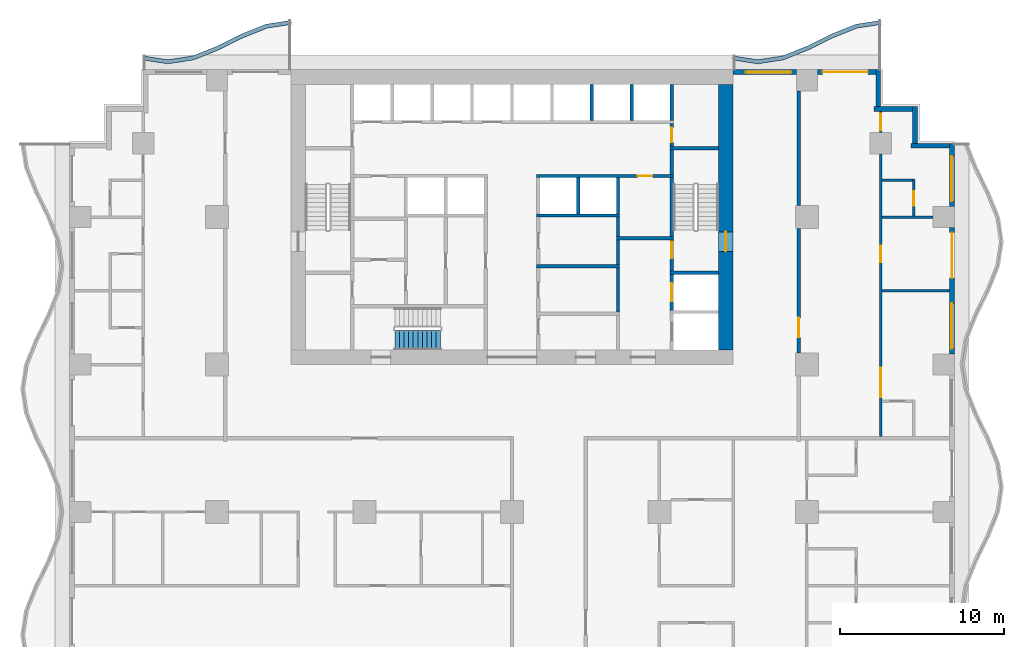
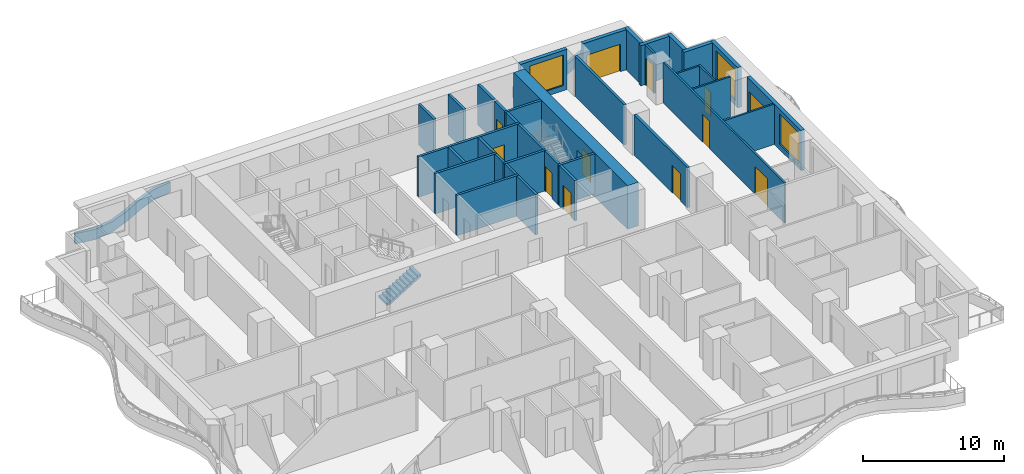
# One storey, part 6 of 14: 38 walls, 12 doors, 3 windows, 1 stair flight, 15 openings, 1 element without a shape of its own.
"""IFC4 building model written with IfcOpenShell, lengths in metres."""

from ifc_helpers import new_model, si_unit, direction, frame, frame_2d, origin, place, context, subcontext, project, spatial, polyline, rectangle, outline, extrude, material, layer, layer_set, type_object, element, fill, aggregate, save


model = new_model("IFC4")

# Units and contexts
model_context = context("Model", 3, precision=1e-05, world=origin(), true_north=direction((0.0, 1.0)))
body_context = subcontext(model_context, "Body", "Model", "MODEL_VIEW")
ifc_project = project(units=[si_unit("LENGTHUNIT", "METRE"), si_unit("AREAUNIT", "SQUARE_METRE"), si_unit("VOLUMEUNIT", "CUBIC_METRE"), si_unit("PLANEANGLEUNIT", "RADIAN"), si_unit("MASSUNIT", "GRAM", prefix="KILO")], contexts=[model_context])

# Site, building, storey
site_placement = place(None, origin())
site = spatial("IfcSite", under=ifc_project, at=site_placement, CompositionType="ELEMENT")
building_placement = place(site_placement, origin())
building = spatial("IfcBuilding", under=site, at=building_placement, Name="Orbiselva Terraces", CompositionType="ELEMENT")
storey_placement = place(building_placement, frame((0.0, 0.0, 84.6)))
storey = spatial("IfcBuildingStorey", under=building, at=storey_placement, Name="L21", CompositionType="ELEMENT", Elevation=84.6)

# Wall, opening, door
ifc_material_1 = material(Name="Concrete C80/95", Category="concrete")
ifc_layer_1 = layer(ifc_material_1, 0.9)
ifc_layer_set_1 = layer_set([ifc_layer_1], Name="Concrete C80/95")
wall_type_1 = type_object("IfcWallType", Name="CORE WALL 900", PredefinedType="SHEAR", material=ifc_layer_set_1)
wall_1_placement = place(storey_placement, frame((13.05, 5.4, -0.3), z_axis=(0.0, 0.0, 1.0), x_axis=(0.0, 1.0, 0.0)))
wall_1 = element("IfcWall", 1, at=wall_1_placement, inside=storey, type_object=wall_type_1, Name="Core wall L21 east", PredefinedType="SHEAR", context=body_context, shape_type="SweptSolid", body=[
    extrude(rectangle(XDim=16.2, YDim=0.9, at=frame_2d((8.1, 0.0))), origin(), (0.0, 0.0, 1.0), 3.8),
])
opening_1_placement = place(wall_1_placement, frame((6.0, 0.0, 0.3)))
opening_1 = element("IfcOpeningElement", 2, at=opening_1_placement, cuts=wall_1, Name="Opening DS1200", PredefinedType="OPENING", context=body_context, shape_type="SweptSolid", body=[
    extrude(rectangle(XDim=1.2, YDim=2.2, at=frame_2d((0.6, 1.1))), frame((0.0, 0.46, 0.0), z_axis=(0.0, -1.0, 0.0), x_axis=(1.0, 0.0, 0.0)), (0.0, 0.0, 1.0), 0.92),
])
ifc_material_2 = material(Name="Steel fire door", Category="steel")
door_type_1 = type_object("IfcDoorType", Name="STAIR DOOR 1200", OperationType="NOTDEFINED", PredefinedType="DOOR", material=ifc_material_2)
door_1_placement = place(opening_1_placement, frame((1.2, 0.0, 0.0), z_axis=(0.0, 0.0, 1.0), x_axis=(-1.0, 0.0, 0.0)))
door_1 = element("IfcDoor", 3, at=door_1_placement, inside=storey, type_object=door_type_1, Name="L21 EXIT STAIR S2 door", OperationType="SINGLE_SWING_LEFT", OverallHeight=2.2, OverallWidth=1.2, PredefinedType="DOOR", context=body_context, shape_type="SweptSolid", body=[
    extrude(rectangle(XDim=1.2, YDim=2.2, at=frame_2d((0.6, 1.1))), frame((0.0, 0.025, 0.0), z_axis=(0.0, -1.0, 0.0), x_axis=(1.0, 0.0, 0.0)), (0.0, 0.0, 1.0), 0.05),
])
fill(opening_1, door_1)

# Wall
ifc_material_3 = material(Name="Masonry blockwork", Category="masonry")
ifc_layer_2 = layer(ifc_material_3, 0.2)
ifc_layer_set_2 = layer_set([ifc_layer_2], Name="Masonry blockwork")
wall_type_2 = type_object("IfcWallType", Name="CORE-WALL-PARTITION-200", PredefinedType="PARTITIONING", material=ifc_layer_set_2)
wall_2_placement = place(storey_placement, frame((6.475, 12.3, 0.0), z_axis=(0.0, 0.0, 1.0), x_axis=(0.0, 1.0, 0.0)))
element("IfcWall", 4, at=wall_2_placement, inside=storey, type_object=wall_type_2, Name="L21 core wall 44", PredefinedType="PARTITIONING", context=body_context, shape_type="SweptSolid", body=[
    extrude(rectangle(XDim=1.2, YDim=0.2, at=frame_2d((0.6, 0.0))), origin(), (0.0, 0.0, 1.0), 3.5),
])

# Wall, opening, door
wall_3_placement = place(storey_placement, frame((9.75, 19.2, 0.0), z_axis=(0.0, 0.0, 1.0), x_axis=(0.0, -1.0, 0.0)))
wall_3 = element("IfcWall", 5, at=wall_3_placement, inside=storey, type_object=wall_type_2, Name="L21 core wall 55", PredefinedType="PARTITIONING", context=body_context, shape_type="SweptSolid", body=[
    extrude(rectangle(XDim=1.4, YDim=0.2, at=frame_2d((0.7, 0.0))), origin(), (0.0, 0.0, 1.0), 3.5),
])
opening_2_placement = place(wall_3_placement, frame((0.25, 0.0, 0.0)))
opening_2 = element("IfcOpeningElement", 6, at=opening_2_placement, cuts=wall_3, Name="Opening DR900", PredefinedType="OPENING", context=body_context, shape_type="SweptSolid", body=[
    extrude(rectangle(XDim=0.9, YDim=2.1, at=frame_2d((0.45, 1.05))), frame((0.0, 0.11, 0.0), z_axis=(0.0, -1.0, 0.0), x_axis=(1.0, 0.0, 0.0)), (0.0, 0.0, 1.0), 0.22),
])
door_type_2 = type_object("IfcDoorType", Name="ROOM DOOR 900", OperationType="NOTDEFINED", PredefinedType="DOOR", material=ifc_material_2)
door_2_placement = place(opening_2_placement, origin())
door_2 = element("IfcDoor", 7, at=door_2_placement, inside=storey, type_object=door_type_2, Name="L21 COMMS RISER ROOM door", OperationType="SINGLE_SWING_RIGHT", OverallHeight=2.1, OverallWidth=0.9, PredefinedType="DOOR", context=body_context, shape_type="SweptSolid", body=[
    extrude(rectangle(XDim=0.9, YDim=2.1, at=frame_2d((0.45, 1.05))), frame((0.0, 0.025, 0.0), z_axis=(0.0, -1.0, 0.0), x_axis=(1.0, 0.0, 0.0)), (0.0, 0.0, 1.0), 0.05),
])
fill(opening_2, door_2)

# Walls
ifc_material_4 = material(Name="Concrete C40/50", Category="concrete")
ifc_layer_3 = layer(ifc_material_4, 0.2)
ifc_layer_set_3 = layer_set([ifc_layer_3], Name="Concrete C40/50")
wall_type_3 = type_object("IfcWallType", Name="CORE-WALL-SHAFT-200", PredefinedType="PARTITIONING", material=ifc_layer_set_3)
for number, where, z_axis, x_axis, name in (
    (8, (4.0375, 13.7, 0.0), (0.0, 0.0, 1.0), (0.0, 1.0, 0.0), "L21 core wall 38"),
    (9, (4.875, 19.4, 0.0), (0.0, 0.0, 1.0), (0.0, 1.0, 0.0), "L21 core wall 39"),
    (10, (6.475, 13.7, 0.0), (0.0, 0.0, 1.0), (0.0, 1.0, 0.0), "L21 core wall 45"),
    (11, (7.3125, 19.4, 0.0), (0.0, 0.0, 1.0), (0.0, 1.0, 0.0), "L21 core wall 46"),
    (12, (9.75, 19.4, 0.0), (0.0, 0.0, 1.0), (0.0, 1.0, 0.0), "L21 core wall 56"),
):
    element("IfcWall", number, at=place(storey_placement, frame(where, z_axis=z_axis, x_axis=x_axis)), inside=storey, type_object=wall_type_3, Name=name, PredefinedType="PARTITIONING", context=body_context, shape_type="SweptSolid", body=[
        extrude(rectangle(XDim=2.2, YDim=0.2, at=frame_2d((1.1, 0.0))), origin(), (0.0, 0.0, 1.0), 3.5),
    ])
ifc_material_5 = material(Name="Concrete C60/75", Category="concrete")
ifc_layer_4 = layer(ifc_material_5, 0.2)
ifc_layer_set_4 = layer_set([ifc_layer_4], Name="Concrete C60/75")
wall_type_4 = type_object("IfcWallType", Name="CORE-WALL-SHEAR-200", PredefinedType="SHEAR", material=ifc_layer_set_4)
for number, where, z_axis, x_axis, name in (
    (13, (1.5, 10.5, 0.0), (0.0, 0.0, 1.0), (1.0, 0.0, 0.0), "L21 core wall 32"),
    (14, (1.5, 13.6, 0.0), (0.0, 0.0, 1.0), (1.0, 0.0, 0.0), "L21 core wall 34"),
):
    element("IfcWall", number, at=place(storey_placement, frame(where, z_axis=z_axis, x_axis=x_axis)), inside=storey, type_object=wall_type_4, Name=name, PredefinedType="SHEAR", context=body_context, shape_type="SweptSolid", body=[
        extrude(rectangle(XDim=5.075, YDim=0.2, at=frame_2d((2.5375, 0.0))), origin(), (0.0, 0.0, 1.0), 3.5),
    ])

# Wall, opening, door
wall_4_placement = place(storey_placement, frame((9.85, 16.0, 0.0), z_axis=(0.0, 0.0, 1.0), x_axis=(-1.0, 0.0, 0.0)))
wall_4 = element("IfcWall", 15, at=wall_4_placement, inside=storey, type_object=wall_type_4, Name="L21 core wall 36", PredefinedType="SHEAR", context=body_context, shape_type="SweptSolid", body=[
    extrude(rectangle(XDim=8.35, YDim=0.2, at=frame_2d((4.175, 0.0))), origin(), (0.0, 0.0, 1.0), 3.5),
])
opening_3_placement = place(wall_4_placement, frame((1.2875, 0.0, 0.0)))
opening_3 = element("IfcOpeningElement", 16, at=opening_3_placement, cuts=wall_4, Name="Opening DR900", PredefinedType="OPENING", context=body_context, shape_type="SweptSolid", body=[
    extrude(rectangle(XDim=0.9, YDim=2.1, at=frame_2d((0.45, 1.05))), frame((0.0, 0.11, 0.0), z_axis=(0.0, -1.0, 0.0), x_axis=(1.0, 0.0, 0.0)), (0.0, 0.0, 1.0), 0.22),
])
door_3_placement = place(opening_3_placement, origin())
door_3 = element("IfcDoor", 17, at=door_3_placement, inside=storey, type_object=door_type_2, Name="L21 PIPE RISER ROOM door", OperationType="SINGLE_SWING_LEFT", OverallHeight=2.1, OverallWidth=0.9, PredefinedType="DOOR", context=body_context, shape_type="SweptSolid", body=[
    extrude(rectangle(XDim=0.9, YDim=2.1, at=frame_2d((0.45, 1.05))), frame((0.0, 0.025, 0.0), z_axis=(0.0, -1.0, 0.0), x_axis=(1.0, 0.0, 0.0)), (0.0, 0.0, 1.0), 0.05),
])
fill(opening_3, door_3)

# Walls
wall_5_placement = place(storey_placement, frame((6.475, 7.7, 0.0), z_axis=(0.0, 0.0, 1.0), x_axis=(0.0, 1.0, 0.0)))
element("IfcWall", 18, at=wall_5_placement, inside=storey, type_object=wall_type_4, Name="L21 core wall 41", PredefinedType="SHEAR", context=body_context, shape_type="SweptSolid", body=[
    extrude(rectangle(XDim=2.7, YDim=0.2, at=frame_2d((1.35, 0.0))), origin(), (0.0, 0.0, 1.0), 3.5),
])
wall_6_placement = place(storey_placement, frame((6.475, 10.6, 0.0), z_axis=(0.0, 0.0, 1.0), x_axis=(0.0, 1.0, 0.0)))
element("IfcWall", 19, at=wall_6_placement, inside=storey, type_object=wall_type_4, Name="L21 core wall 42", PredefinedType="SHEAR", context=body_context, shape_type="SweptSolid", body=[
    extrude(rectangle(XDim=1.5, YDim=0.2, at=frame_2d((0.75, 0.0))), origin(), (0.0, 0.0, 1.0), 3.5),
])
wall_7_placement = place(storey_placement, frame((6.375, 12.2, 0.0), z_axis=(0.0, 0.0, 1.0), x_axis=(1.0, 0.0, 0.0)))
element("IfcWall", 20, at=wall_7_placement, inside=storey, type_object=wall_type_4, Name="L21 core wall 43", PredefinedType="SHEAR", context=body_context, shape_type="SweptSolid", body=[
    extrude(rectangle(XDim=3.475, YDim=0.2, at=frame_2d((1.7375, 0.0))), origin(), (0.0, 0.0, 1.0), 3.5),
])

# Wall, opening, door
wall_8_placement = place(storey_placement, frame((9.75, 7.8, 0.0), z_axis=(0.0, 0.0, 1.0), x_axis=(0.0, 1.0, 0.0)))
wall_8 = element("IfcWall", 21, at=wall_8_placement, inside=storey, type_object=wall_type_4, Name="L21 core wall 49", PredefinedType="SHEAR", context=body_context, shape_type="SweptSolid", body=[
    extrude(rectangle(XDim=2.2, YDim=0.2, at=frame_2d((1.1, 0.0))), origin(), (0.0, 0.0, 1.0), 3.5),
])
opening_4_placement = place(wall_8_placement, frame((0.55, 0.0, 0.0)))
opening_4 = element("IfcOpeningElement", 22, at=opening_4_placement, cuts=wall_8, Name="Opening LD-FF2", PredefinedType="OPENING", context=body_context, shape_type="SweptSolid", body=[
    extrude(rectangle(XDim=1.1, YDim=2.1, at=frame_2d((0.55, 1.05))), frame((0.0, 0.11, 0.0), z_axis=(0.0, -1.0, 0.0), x_axis=(1.0, 0.0, 0.0)), (0.0, 0.0, 1.0), 0.22),
])
ifc_material_6 = material(Name="Stainless steel landing door", Category="steel")
door_type_3 = type_object("IfcDoorType", Name="LANDING DOOR 1100", OperationType="SLIDING_TO_LEFT", PredefinedType="DOOR", material=ifc_material_6)
door_4_placement = place(opening_4_placement, origin())
door_4 = element("IfcDoor", 23, at=door_4_placement, inside=storey, type_object=door_type_3, Name="L21 landing door FF2", OperationType="SLIDING_TO_RIGHT", OverallHeight=2.1, OverallWidth=1.1, PredefinedType="DOOR", context=body_context, shape_type="SweptSolid", body=[
    extrude(rectangle(XDim=1.1, YDim=2.1, at=frame_2d((0.55, 1.05))), frame((0.0, 0.025, 0.0), z_axis=(0.0, -1.0, 0.0), x_axis=(1.0, 0.0, 0.0)), (0.0, 0.0, 1.0), 0.05),
])
fill(opening_4, door_4)

# Wall
wall_9_placement = place(storey_placement, frame((9.65, 10.1, 0.0), z_axis=(0.0, 0.0, 1.0), x_axis=(1.0, 0.0, 0.0)))
element("IfcWall", 24, at=wall_9_placement, inside=storey, type_object=wall_type_4, Name="L21 core wall 50", PredefinedType="SHEAR", context=body_context, shape_type="SweptSolid", body=[
    extrude(rectangle(XDim=2.95, YDim=0.2, at=frame_2d((1.475, 0.0))), origin(), (0.0, 0.0, 1.0), 3.5),
])

# Wall, opening, door
wall_10_placement = place(storey_placement, frame((9.75, 12.1, 0.0), z_axis=(0.0, 0.0, 1.0), x_axis=(0.0, -1.0, 0.0)))
wall_10 = element("IfcWall", 25, at=wall_10_placement, inside=storey, type_object=wall_type_4, Name="L21 core wall 51", PredefinedType="SHEAR", context=body_context, shape_type="SweptSolid", body=[
    extrude(rectangle(XDim=1.9, YDim=0.2, at=frame_2d((0.95, 0.0))), origin(), (0.0, 0.0, 1.0), 3.5),
])
opening_5_placement = place(wall_10_placement, frame((0.1, 0.0, 0.0)))
opening_5 = element("IfcOpeningElement", 26, at=opening_5_placement, cuts=wall_10, Name="Opening DS1000", PredefinedType="OPENING", context=body_context, shape_type="SweptSolid", body=[
    extrude(rectangle(XDim=1.0, YDim=2.2, at=frame_2d((0.5, 1.1))), frame((0.0, 0.11, 0.0), z_axis=(0.0, -1.0, 0.0), x_axis=(1.0, 0.0, 0.0)), (0.0, 0.0, 1.0), 0.22),
])
door_type_4 = type_object("IfcDoorType", Name="STAIR DOOR 1000", OperationType="NOTDEFINED", PredefinedType="DOOR", material=ifc_material_2)
door_5_placement = place(opening_5_placement, origin())
door_5 = element("IfcDoor", 27, at=door_5_placement, inside=storey, type_object=door_type_4, Name="L21 FIRE-FIGHTING LOBBY TO EXIT STAIR S2 door", OperationType="SINGLE_SWING_LEFT", OverallHeight=2.2, OverallWidth=1.0, PredefinedType="DOOR", context=body_context, shape_type="SweptSolid", body=[
    extrude(rectangle(XDim=1.0, YDim=2.2, at=frame_2d((0.5, 1.1))), frame((0.0, 0.025, 0.0), z_axis=(0.0, -1.0, 0.0), x_axis=(1.0, 0.0, 0.0)), (0.0, 0.0, 1.0), 0.05),
])
fill(opening_5, door_5)

# Walls
wall_11_placement = place(storey_placement, frame((9.75, 12.3, 0.0), z_axis=(0.0, 0.0, 1.0), x_axis=(0.0, 1.0, 0.0)))
element("IfcWall", 28, at=wall_11_placement, inside=storey, type_object=wall_type_4, Name="L21 core wall 52", PredefinedType="SHEAR", context=body_context, shape_type="SweptSolid", body=[
    extrude(rectangle(XDim=3.6, YDim=0.2, at=frame_2d((1.8, 0.0))), origin(), (0.0, 0.0, 1.0), 3.5),
])
wall_12_placement = place(storey_placement, frame((9.75, 16.1, 0.0), z_axis=(0.0, 0.0, 1.0), x_axis=(0.0, 1.0, 0.0)))
element("IfcWall", 29, at=wall_12_placement, inside=storey, type_object=wall_type_4, Name="L21 core wall 53", PredefinedType="SHEAR", context=body_context, shape_type="SweptSolid", body=[
    extrude(rectangle(XDim=1.5, YDim=0.2, at=frame_2d((0.75, 0.0))), origin(), (0.0, 0.0, 1.0), 3.5),
])
wall_13_placement = place(storey_placement, frame((9.65, 17.7, 0.0), z_axis=(0.0, 0.0, 1.0), x_axis=(1.0, 0.0, 0.0)))
element("IfcWall", 30, at=wall_13_placement, inside=storey, type_object=wall_type_4, Name="L21 core wall 54", PredefinedType="SHEAR", context=body_context, shape_type="SweptSolid", body=[
    extrude(rectangle(XDim=2.95, YDim=0.2, at=frame_2d((1.475, 0.0))), origin(), (0.0, 0.0, 1.0), 3.5),
])
ifc_layer_5 = layer(ifc_material_4, 0.25)
ifc_layer_set_5 = layer_set([ifc_layer_5], Name="Concrete C40/50")
wall_type_5 = type_object("IfcWallType", Name="ENV-PLANTER-250x900", PredefinedType="USERDEFINED", material=ifc_layer_set_5)
wall_14_placement = place(storey_placement, origin())
element("IfcWall", 31, at=wall_14_placement, inside=storey, type_object=wall_type_5, Name="Balcony planter L21 NE", ObjectType="PLANTER", PredefinedType="USERDEFINED", context=body_context, shape_type="SweptSolid", body=[
    extrude(outline(polyline([(22.5, 25.5), (21.0, 25.27082), (19.5, 24.67082), (18.0, 23.92918), (16.5, 23.32918), (15.0, 23.1), (13.5, 23.32918), (13.462242, 23.082048), (15.0, 22.847099), (16.566166, 23.086388), (18.101983, 23.700715), (19.601983, 24.442355), (21.066166, 25.028028), (22.537758, 25.252868), (22.5, 25.5)])), origin(), (0.0, 0.0, 1.0), 0.9),
])
wall_15_placement = place(storey_placement, origin())
element("IfcWall", 32, at=wall_15_placement, inside=storey, type_object=wall_type_5, Name="Balcony planter L21 NW", ObjectType="PLANTER", PredefinedType="USERDEFINED", context=body_context, shape_type="SweptSolid", body=[
    extrude(outline(polyline([(-13.5, 25.5), (-15.0, 25.27082), (-16.5, 24.67082), (-18.0, 23.92918), (-19.5, 23.32918), (-21.0, 23.1), (-22.5, 23.32918), (-22.537758, 23.082048), (-21.0, 22.847099), (-19.433834, 23.086388), (-17.898017, 23.700715), (-16.398017, 24.442355), (-14.933834, 25.028028), (-13.462242, 25.252868), (-13.5, 25.5)])), origin(), (0.0, 0.0, 1.0), 0.9),
])

# Wall, openings, door, window
ifc_material_7 = material(Name="Terracotta cladding on masonry backing", Category="masonry")
ifc_layer_6 = layer(ifc_material_7, 0.3)
ifc_layer_set_6 = layer_set([ifc_layer_6], Name="Terracotta cladding on masonry backing")
wall_type_6 = type_object("IfcWallType", Name="ENV-WALL-TERRACOTTA-300", PredefinedType="SOLIDWALL", material=ifc_layer_set_6)
wall_16_placement = place(storey_placement, frame((26.85, 12.85, 0.0), z_axis=(0.0, 0.0, 1.0), x_axis=(0.0, -1.0, 0.0)))
wall_16 = element("IfcWall", 33, at=wall_16_placement, inside=storey, type_object=wall_type_6, Name="Facade wall L21 E", PredefinedType="SOLIDWALL", context=body_context, shape_type="SweptSolid", body=[
    extrude(rectangle(XDim=7.7, YDim=0.3, at=frame_2d((3.85, 0.0))), origin(), (0.0, 0.0, 1.0), 3.5),
])
opening_6_placement = place(wall_16_placement, frame((4.625, 0.0, 0.45)))
opening_6 = element("IfcOpeningElement", 34, at=opening_6_placement, cuts=wall_16, Name="Opening WN6", PredefinedType="OPENING", context=body_context, shape_type="SweptSolid", body=[
    extrude(rectangle(XDim=2.775, YDim=2.65, at=frame_2d((1.3875, 1.325))), frame((0.0, 0.16, 0.0), z_axis=(0.0, -1.0, 0.0), x_axis=(1.0, 0.0, 0.0)), (0.0, 0.0, 1.0), 0.32),
])
opening_7_placement = place(wall_16_placement, frame((0.3, 0.0, 0.0)))
opening_7 = element("IfcOpeningElement", 35, at=opening_7_placement, cuts=wall_16, Name="Opening Z2-B-E07", PredefinedType="OPENING", context=body_context, shape_type="SweptSolid", body=[
    extrude(rectangle(XDim=2.775, YDim=2.4, at=frame_2d((1.3875, 1.2))), frame((0.0, 0.16, 0.0), z_axis=(0.0, -1.0, 0.0), x_axis=(1.0, 0.0, 0.0)), (0.0, 0.0, 1.0), 0.32),
])
ifc_material_8 = material(Name="Clear low-e glazing in aluminium frame", Category="aluminium")
door_type_5 = type_object("IfcDoorType", Name="BALCONY DOOR 2775 X 2400", OperationType="DOUBLE_DOOR_SLIDING", PredefinedType="DOOR", material=ifc_material_8)
door_6_placement = place(opening_7_placement, origin())
door_6 = element("IfcDoor", 36, at=door_6_placement, inside=storey, type_object=door_type_5, Name="Z2-B-E07", OperationType="SINGLE_SWING_LEFT", OverallHeight=2.4, OverallWidth=2.775, PredefinedType="DOOR", context=body_context, shape_type="SweptSolid", body=[
    extrude(rectangle(XDim=2.775, YDim=2.4, at=frame_2d((1.3875, 1.2))), frame((0.0, 0.025, 0.0), z_axis=(0.0, -1.0, 0.0), x_axis=(1.0, 0.0, 0.0)), (0.0, 0.0, 1.0), 0.05),
])
fill(opening_7, door_6)
window_type = type_object("IfcWindowType", Name="WINDOW 2775 X 2650 S450", PartitioningType="TRIPLE_PANEL_VERTICAL", PredefinedType="WINDOW", material=ifc_material_8)
window_1_placement = place(opening_6_placement, origin())
window_1 = element("IfcWindow", 37, at=window_1_placement, inside=storey, type_object=window_type, Name="Window L21 E", OverallHeight=2.65, OverallWidth=2.775, PartitioningType="SINGLE_PANEL", PredefinedType="WINDOW", context=body_context, shape_type="SweptSolid", body=[
    extrude(rectangle(XDim=2.775, YDim=2.65, at=frame_2d((1.3875, 1.325))), frame((0.0, 0.03, 0.0), z_axis=(0.0, -1.0, 0.0), x_axis=(1.0, 0.0, 0.0)), (0.0, 0.0, 1.0), 0.06),
])
fill(opening_6, window_1)

# Wall, opening, window
wall_17_placement = place(storey_placement, frame((26.85, 18.0, 0.0), z_axis=(0.0, 0.0, 1.0), x_axis=(0.0, -1.0, 0.0)))
wall_17 = element("IfcWall", 38, at=wall_17_placement, inside=storey, type_object=wall_type_6, Name="Facade wall L21 E", PredefinedType="SOLIDWALL", context=body_context, shape_type="SweptSolid", body=[
    extrude(rectangle(XDim=3.85, YDim=0.3, at=frame_2d((1.925, 0.0))), origin(), (0.0, 0.0, 1.0), 3.5),
])
opening_8_placement = place(wall_17_placement, frame((0.775, 0.0, 0.45)))
opening_8 = element("IfcOpeningElement", 39, at=opening_8_placement, cuts=wall_17, Name="Opening WN6", PredefinedType="OPENING", context=body_context, shape_type="SweptSolid", body=[
    extrude(rectangle(XDim=2.775, YDim=2.65, at=frame_2d((1.3875, 1.325))), frame((0.0, 0.16, 0.0), z_axis=(0.0, -1.0, 0.0), x_axis=(1.0, 0.0, 0.0)), (0.0, 0.0, 1.0), 0.32),
])
window_2_placement = place(opening_8_placement, origin())
window_2 = element("IfcWindow", 40, at=window_2_placement, inside=storey, type_object=window_type, Name="Window L21 E", OverallHeight=2.65, OverallWidth=2.775, PartitioningType="SINGLE_PANEL", PredefinedType="WINDOW", context=body_context, shape_type="SweptSolid", body=[
    extrude(rectangle(XDim=2.775, YDim=2.65, at=frame_2d((1.3875, 1.325))), frame((0.0, 0.03, 0.0), z_axis=(0.0, -1.0, 0.0), x_axis=(1.0, 0.0, 0.0)), (0.0, 0.0, 1.0), 0.06),
])
fill(opening_8, window_2)

# Walls
wall_18_placement = place(storey_placement, frame((24.35, 17.85, 0.0), z_axis=(0.0, 0.0, 1.0), x_axis=(1.0, 0.0, 0.0)))
element("IfcWall", 41, at=wall_18_placement, inside=storey, type_object=wall_type_6, Name="Facade wall L21 STEP", PredefinedType="SOLIDWALL", context=body_context, shape_type="SweptSolid", body=[
    extrude(rectangle(XDim=2.35, YDim=0.3, at=frame_2d((1.175, 0.0))), origin(), (0.0, 0.0, 1.0), 3.5),
])
wall_19_placement = place(storey_placement, frame((24.6, 20.25, 0.0), z_axis=(0.0, 0.0, 1.0), x_axis=(0.0, -1.0, 0.0)))
element("IfcWall", 42, at=wall_19_placement, inside=storey, type_object=wall_type_6, Name="Facade wall L21 STEP", PredefinedType="SOLIDWALL", context=body_context, shape_type="SweptSolid", body=[
    extrude(rectangle(XDim=2.25, YDim=0.3, at=frame_2d((1.125, 0.0))), origin(), (0.0, 0.0, 1.0), 3.5),
])
wall_20_placement = place(storey_placement, frame((22.1, 20.1, 0.0), z_axis=(0.0, 0.0, 1.0), x_axis=(1.0, 0.0, 0.0)))
element("IfcWall", 43, at=wall_20_placement, inside=storey, type_object=wall_type_6, Name="Facade wall L21 STEP", PredefinedType="SOLIDWALL", context=body_context, shape_type="SweptSolid", body=[
    extrude(rectangle(XDim=2.35, YDim=0.3, at=frame_2d((1.175, 0.0))), origin(), (0.0, 0.0, 1.0), 3.5),
])
wall_21_placement = place(storey_placement, frame((22.35, 22.5, 0.0), z_axis=(0.0, 0.0, 1.0), x_axis=(0.0, -1.0, 0.0)))
element("IfcWall", 44, at=wall_21_placement, inside=storey, type_object=wall_type_6, Name="Facade wall L21 STEP", PredefinedType="SOLIDWALL", context=body_context, shape_type="SweptSolid", body=[
    extrude(rectangle(XDim=2.25, YDim=0.3, at=frame_2d((1.125, 0.0))), origin(), (0.0, 0.0, 1.0), 3.5),
])

# Wall, opening, door
wall_22_placement = place(storey_placement, frame((18.65, 22.35, 0.0), z_axis=(0.0, 0.0, 1.0), x_axis=(1.0, 0.0, 0.0)))
wall_22 = element("IfcWall", 45, at=wall_22_placement, inside=storey, type_object=wall_type_6, Name="Facade wall L21 NE", PredefinedType="SOLIDWALL", context=body_context, shape_type="SweptSolid", body=[
    extrude(rectangle(XDim=3.55, YDim=0.3, at=frame_2d((1.775, 0.0))), origin(), (0.0, 0.0, 1.0), 3.5),
])
opening_9_placement = place(wall_22_placement, frame((0.3, 0.0, 0.0)))
opening_9 = element("IfcOpeningElement", 46, at=opening_9_placement, cuts=wall_22, Name="Opening Z2-B-E09", PredefinedType="OPENING", context=body_context, shape_type="SweptSolid", body=[
    extrude(rectangle(XDim=2.775, YDim=2.4, at=frame_2d((1.3875, 1.2))), frame((0.0, 0.16, 0.0), z_axis=(0.0, -1.0, 0.0), x_axis=(1.0, 0.0, 0.0)), (0.0, 0.0, 1.0), 0.32),
])
door_7_placement = place(opening_9_placement, origin())
door_7 = element("IfcDoor", 47, at=door_7_placement, inside=storey, type_object=door_type_5, Name="Z2-B-E09", OperationType="SINGLE_SWING_LEFT", OverallHeight=2.4, OverallWidth=2.775, PredefinedType="DOOR", context=body_context, shape_type="SweptSolid", body=[
    extrude(rectangle(XDim=2.775, YDim=2.4, at=frame_2d((1.3875, 1.2))), frame((0.0, 0.025, 0.0), z_axis=(0.0, -1.0, 0.0), x_axis=(1.0, 0.0, 0.0)), (0.0, 0.0, 1.0), 0.05),
])
fill(opening_9, door_7)

# Wall, opening, window
wall_23_placement = place(storey_placement, frame((13.5, 22.35, 0.0), z_axis=(0.0, 0.0, 1.0), x_axis=(1.0, 0.0, 0.0)))
wall_23 = element("IfcWall", 48, at=wall_23_placement, inside=storey, type_object=wall_type_6, Name="Facade wall L21 NE", PredefinedType="SOLIDWALL", context=body_context, shape_type="SweptSolid", body=[
    extrude(rectangle(XDim=3.85, YDim=0.3, at=frame_2d((1.925, 0.0))), origin(), (0.0, 0.0, 1.0), 3.5),
])
opening_10_placement = place(wall_23_placement, frame((0.775, 0.0, 0.45)))
opening_10 = element("IfcOpeningElement", 49, at=opening_10_placement, cuts=wall_23, Name="Opening WN6", PredefinedType="OPENING", context=body_context, shape_type="SweptSolid", body=[
    extrude(rectangle(XDim=2.775, YDim=2.65, at=frame_2d((1.3875, 1.325))), frame((0.0, 0.16, 0.0), z_axis=(0.0, -1.0, 0.0), x_axis=(1.0, 0.0, 0.0)), (0.0, 0.0, 1.0), 0.32),
])
window_3_placement = place(opening_10_placement, origin())
window_3 = element("IfcWindow", 50, at=window_3_placement, inside=storey, type_object=window_type, Name="Window L21 NE", OverallHeight=2.65, OverallWidth=2.775, PartitioningType="SINGLE_PANEL", PredefinedType="WINDOW", context=body_context, shape_type="SweptSolid", body=[
    extrude(rectangle(XDim=2.775, YDim=2.65, at=frame_2d((1.3875, 1.325))), frame((0.0, 0.03, 0.0), z_axis=(0.0, -1.0, 0.0), x_axis=(1.0, 0.0, 0.0)), (0.0, 0.0, 1.0), 0.06),
])
fill(opening_10, window_3)

# Wall, opening, door
ifc_material_9 = material(Name="Plasterboard on steel stud partition", Category="steel")
ifc_layer_7 = layer(ifc_material_9, 0.2)
ifc_layer_set_7 = layer_set([ifc_layer_7], Name="Plasterboard on steel stud partition")
wall_type_7 = type_object("IfcWallType", Name="UNIT-ENTRANCE-WALL-200", PredefinedType="PARTITIONING", material=ifc_layer_set_7)
wall_24_placement = place(storey_placement, frame((17.5, 12.8, 0.0), z_axis=(0.0, 0.0, 1.0), x_axis=(0.0, -1.0, 0.0)))
wall_24 = element("IfcWall", 51, at=wall_24_placement, inside=storey, type_object=wall_type_7, Name="PARTITION L21-076", PredefinedType="PARTITIONING", context=body_context, shape_type="SweptSolid", body=[
    extrude(rectangle(XDim=7.6, YDim=0.2, at=frame_2d((3.8, 0.0))), origin(), (0.0, 0.0, 1.0), 3.5),
])
opening_11_placement = place(wall_24_placement, frame((5.45, 0.0, 0.0)))
opening_11 = element("IfcOpeningElement", 52, at=opening_11_placement, cuts=wall_24, Name="Opening Z2-B-09", PredefinedType="OPENING", context=body_context, shape_type="SweptSolid", body=[
    extrude(rectangle(XDim=1.2, YDim=2.4, at=frame_2d((0.6, 1.2))), frame((0.0, 0.11, 0.0), z_axis=(0.0, -1.0, 0.0), x_axis=(1.0, 0.0, 0.0)), (0.0, 0.0, 1.0), 0.22),
])
ifc_material_10 = material(Name="Painted timber door leaf", Category="wood")
door_type_6 = type_object("IfcDoorType", Name="ENTRANCE DOOR 1200", OperationType="NOTDEFINED", PredefinedType="DOOR", material=ifc_material_10)
door_8_placement = place(opening_11_placement, origin())
door_8 = element("IfcDoor", 53, at=door_8_placement, inside=storey, type_object=door_type_6, Name="Z2-B-09", OperationType="SINGLE_SWING_RIGHT", OverallHeight=2.4, OverallWidth=1.2, PredefinedType="DOOR", context=body_context, shape_type="SweptSolid", body=[
    extrude(rectangle(XDim=1.2, YDim=2.4, at=frame_2d((0.6, 1.2))), frame((0.0, 0.025, 0.0), z_axis=(0.0, -1.0, 0.0), x_axis=(1.0, 0.0, 0.0)), (0.0, 0.0, 1.0), 0.05),
])
fill(opening_11, door_8)

# Walls
wall_25_placement = place(storey_placement, frame((17.5, 14.2, 0.0), z_axis=(0.0, 0.0, 1.0), x_axis=(0.0, 1.0, 0.0)))
element("IfcWall", 54, at=wall_25_placement, inside=storey, type_object=wall_type_7, Name="PARTITION L21-077", PredefinedType="PARTITIONING", context=body_context, shape_type="SweptSolid", body=[
    extrude(rectangle(XDim=7.0, YDim=0.2, at=frame_2d((3.5, 0.0))), origin(), (0.0, 0.0, 1.0), 3.5),
])
ifc_layer_8 = layer(ifc_material_9, 0.15)
ifc_layer_set_8 = layer_set([ifc_layer_8], Name="Plasterboard on steel stud partition")
wall_type_8 = type_object("IfcWallType", Name="UNIT-PARTITION-150", PredefinedType="PARTITIONING", material=ifc_layer_set_8)
wall_26_placement = place(storey_placement, frame((22.575, 9.0, 0.0), z_axis=(0.0, 0.0, 1.0), x_axis=(1.0, 0.0, 0.0)))
element("IfcWall", 55, at=wall_26_placement, inside=storey, type_object=wall_type_8, Name="PARTITION L21-036", PredefinedType="PARTITIONING", context=body_context, shape_type="SweptSolid", body=[
    extrude(rectangle(XDim=4.125, YDim=0.15, at=frame_2d((2.0625, 0.0))), origin(), (0.0, 0.0, 1.0), 3.5),
])
wall_27_placement = place(storey_placement, frame((22.575, 13.5, 0.0), z_axis=(0.0, 0.0, 1.0), x_axis=(1.0, 0.0, 0.0)))
element("IfcWall", 56, at=wall_27_placement, inside=storey, type_object=wall_type_8, Name="PARTITION L21-039", PredefinedType="PARTITIONING", context=body_context, shape_type="SweptSolid", body=[
    extrude(rectangle(XDim=3.125, YDim=0.15, at=frame_2d((1.5625, 0.0))), origin(), (0.0, 0.0, 1.0), 3.5),
])
wall_28_placement = place(storey_placement, frame((22.575, 15.75, 0.0), z_axis=(0.0, 0.0, 1.0), x_axis=(1.0, 0.0, 0.0)))
element("IfcWall", 57, at=wall_28_placement, inside=storey, type_object=wall_type_8, Name="PARTITION L21-041", PredefinedType="PARTITIONING", context=body_context, shape_type="SweptSolid", body=[
    extrude(rectangle(XDim=1.875, YDim=0.15, at=frame_2d((0.9375, 0.0))), origin(), (0.0, 0.0, 1.0), 3.5),
])

# Wall, openings, doors
wall_29_placement = place(storey_placement, frame((22.5, 17.35, 0.0), z_axis=(0.0, 0.0, 1.0), x_axis=(0.0, -1.0, 0.0)))
wall_29 = element("IfcWall", 58, at=wall_29_placement, inside=storey, type_object=wall_type_8, Name="PARTITION L21-083", PredefinedType="PARTITIONING", context=body_context, shape_type="SweptSolid", body=[
    extrude(rectangle(XDim=17.25, YDim=0.15, at=frame_2d((8.625, 0.0))), origin(), (0.0, 0.0, 1.0), 3.5),
])
opening_12_placement = place(wall_29_placement, frame((13.05, 0.0, 0.0)))
opening_12 = element("IfcOpeningElement", 59, at=opening_12_placement, cuts=wall_29, Name="Opening Z2-B-10", PredefinedType="OPENING", context=body_context, shape_type="SweptSolid", body=[
    extrude(rectangle(XDim=1.8, YDim=2.4, at=frame_2d((0.9, 1.2))), frame((0.0, 0.085, 0.0), z_axis=(0.0, -1.0, 0.0), x_axis=(1.0, 0.0, 0.0)), (0.0, 0.0, 1.0), 0.17),
])
opening_13_placement = place(wall_29_placement, frame((5.6, 0.0, 0.0)))
opening_13 = element("IfcOpeningElement", 60, at=opening_13_placement, cuts=wall_29, Name="Opening Z2-B-12", PredefinedType="OPENING", context=body_context, shape_type="SweptSolid", body=[
    extrude(rectangle(XDim=1.0, YDim=2.4, at=frame_2d((0.5, 1.2))), frame((0.0, 0.085, 0.0), z_axis=(0.0, -1.0, 0.0), x_axis=(1.0, 0.0, 0.0)), (0.0, 0.0, 1.0), 0.17),
])
door_type_7 = type_object("IfcDoorType", Name="DOUBLE DOOR 1800", OperationType="NOTDEFINED", PredefinedType="DOOR", material=ifc_material_10)
door_9_placement = place(opening_12_placement, origin())
door_9 = element("IfcDoor", 61, at=door_9_placement, inside=storey, type_object=door_type_7, Name="Z2-B-10", OperationType="DOUBLE_DOOR_SINGLE_SWING", OverallHeight=2.4, OverallWidth=1.8, PredefinedType="DOOR", context=body_context, shape_type="SweptSolid", body=[
    extrude(rectangle(XDim=1.8, YDim=2.4, at=frame_2d((0.9, 1.2))), frame((0.0, 0.025, 0.0), z_axis=(0.0, -1.0, 0.0), x_axis=(1.0, 0.0, 0.0)), (0.0, 0.0, 1.0), 0.05),
])
fill(opening_12, door_9)
door_type_8 = type_object("IfcDoorType", Name="ROOM DOOR 1000", OperationType="NOTDEFINED", PredefinedType="DOOR", material=ifc_material_10)
door_10_placement = place(opening_13_placement, origin())
door_10 = element("IfcDoor", 62, at=door_10_placement, inside=storey, type_object=door_type_8, Name="Z2-B-12", OperationType="SINGLE_SWING_LEFT", OverallHeight=2.4, OverallWidth=1.0, PredefinedType="DOOR", context=body_context, shape_type="SweptSolid", body=[
    extrude(rectangle(XDim=1.0, YDim=2.4, at=frame_2d((0.5, 1.2))), frame((0.0, 0.025, 0.0), z_axis=(0.0, -1.0, 0.0), x_axis=(1.0, 0.0, 0.0)), (0.0, 0.0, 1.0), 0.05),
])
fill(opening_13, door_10)

# Wall, opening, door
wall_30_placement = place(storey_placement, frame((22.5, 19.95, 0.0), z_axis=(0.0, 0.0, 1.0), x_axis=(0.0, -1.0, 0.0)))
wall_30 = element("IfcWall", 63, at=wall_30_placement, inside=storey, type_object=wall_type_8, Name="PARTITION L21-084", PredefinedType="PARTITIONING", context=body_context, shape_type="SweptSolid", body=[
    extrude(rectangle(XDim=1.3, YDim=0.15, at=frame_2d((0.65, 0.0))), origin(), (0.0, 0.0, 1.0), 3.5),
])
opening_14_placement = place(wall_30_placement, frame((0.15, 0.0, 0.0)))
opening_14 = element("IfcOpeningElement", 64, at=opening_14_placement, cuts=wall_30, Name="Opening Z2-B-13", PredefinedType="OPENING", context=body_context, shape_type="SweptSolid", body=[
    extrude(rectangle(XDim=1.0, YDim=2.4, at=frame_2d((0.5, 1.2))), frame((0.0, 0.085, 0.0), z_axis=(0.0, -1.0, 0.0), x_axis=(1.0, 0.0, 0.0)), (0.0, 0.0, 1.0), 0.17),
])
door_11_placement = place(opening_14_placement, origin())
door_11 = element("IfcDoor", 65, at=door_11_placement, inside=storey, type_object=door_type_8, Name="Z2-B-13", OperationType="SINGLE_SWING_RIGHT", OverallHeight=2.4, OverallWidth=1.0, PredefinedType="DOOR", context=body_context, shape_type="SweptSolid", body=[
    extrude(rectangle(XDim=1.0, YDim=2.4, at=frame_2d((0.5, 1.2))), frame((0.0, 0.025, 0.0), z_axis=(0.0, -1.0, 0.0), x_axis=(1.0, 0.0, 0.0)), (0.0, 0.0, 1.0), 0.05),
])
fill(opening_14, door_11)

wall_31_placement = place(storey_placement, frame((24.525, 13.575, 0.0), z_axis=(0.0, 0.0, 1.0), x_axis=(0.0, 1.0, 0.0)))
wall_31 = element("IfcWall", 66, at=wall_31_placement, inside=storey, type_object=wall_type_8, Name="PARTITION L21-086", PredefinedType="PARTITIONING", context=body_context, shape_type="SweptSolid", body=[
    extrude(rectangle(XDim=2.25, YDim=0.15, at=frame_2d((1.125, 0.0))), origin(), (0.0, 0.0, 1.0), 3.5),
])
opening_15_placement = place(wall_31_placement, frame((0.6, 0.0, 0.0)))
opening_15 = element("IfcOpeningElement", 67, at=opening_15_placement, cuts=wall_31, Name="Opening Z2-B-14", PredefinedType="OPENING", context=body_context, shape_type="SweptSolid", body=[
    extrude(rectangle(XDim=0.9, YDim=2.1, at=frame_2d((0.45, 1.05))), frame((0.0, 0.085, 0.0), z_axis=(0.0, -1.0, 0.0), x_axis=(1.0, 0.0, 0.0)), (0.0, 0.0, 1.0), 0.17),
])
door_type_9 = type_object("IfcDoorType", Name="BATH DOOR 900", OperationType="NOTDEFINED", PredefinedType="DOOR", material=ifc_material_10)
door_12_placement = place(opening_15_placement, origin())
door_12 = element("IfcDoor", 68, at=door_12_placement, inside=storey, type_object=door_type_9, Name="Z2-B-14", OperationType="SINGLE_SWING_LEFT", OverallHeight=2.1, OverallWidth=0.9, PredefinedType="DOOR", context=body_context, shape_type="SweptSolid", body=[
    extrude(rectangle(XDim=0.9, YDim=2.1, at=frame_2d((0.45, 1.05))), frame((0.0, 0.025, 0.0), z_axis=(0.0, -1.0, 0.0), x_axis=(1.0, 0.0, 0.0)), (0.0, 0.0, 1.0), 0.05),
])
fill(opening_15, door_12)

# Stair, stair flight
stair_type = type_object("IfcStairType", Name="CORE-STAIR-1200", PredefinedType="HALF_TURN_STAIR", material=ifc_material_4)
stair_placement = place(storey_placement, origin())
stair = element("IfcStair", 69, at=stair_placement, inside=storey, type_object=stair_type, Name="L21 Exit Stair S3", PredefinedType="HALF_TURN_STAIR")
stair_flight_type = type_object("IfcStairFlightType", Name="CORE-STAIR-FLIGHT-1200", PredefinedType="STRAIGHT", material=ifc_material_4)
stair_flight_placement = place(storey_placement, frame((-7.15, 6.0, 0.0), z_axis=(0.0, 0.0, 1.0), x_axis=(1.0, 0.0, 0.0)))
stair_flight = element("IfcStairFlight", 70, at=stair_flight_placement, type_object=stair_flight_type, Name="S3 flight 1", NumberOfRisers=11, NumberOfTreads=10, PredefinedType="STRAIGHT", RiserHeight=0.172727273, TreadLength=0.28, context=body_context, shape_type="SweptSolid", body=[
    extrude(outline(polyline([(0.0, 0.0), (0.0, 0.172727), (0.28, 0.172727), (0.28, 0.345455), (0.56, 0.345455), (0.56, 0.518182), (0.84, 0.518182), (0.84, 0.690909), (1.12, 0.690909), (1.12, 0.863636), (1.4, 0.863636), (1.4, 1.036364), (1.68, 1.036364), (1.68, 1.209091), (1.96, 1.209091), (1.96, 1.381818), (2.24, 1.381818), (2.24, 1.554545), (2.52, 1.554545), (2.52, 1.727273), (2.8, 1.727273), (2.8, 1.9), (2.8, 1.551028), (0.285702, 0.0), (0.0, 0.0)])), frame((0.0, 0.6, 0.0), z_axis=(0.0, -1.0, 0.0), x_axis=(1.0, 0.0, 0.0)), (0.0, 0.0, 1.0), 1.2),
])
aggregate(stair, [stair_flight])

save(model, "model.ifc")
